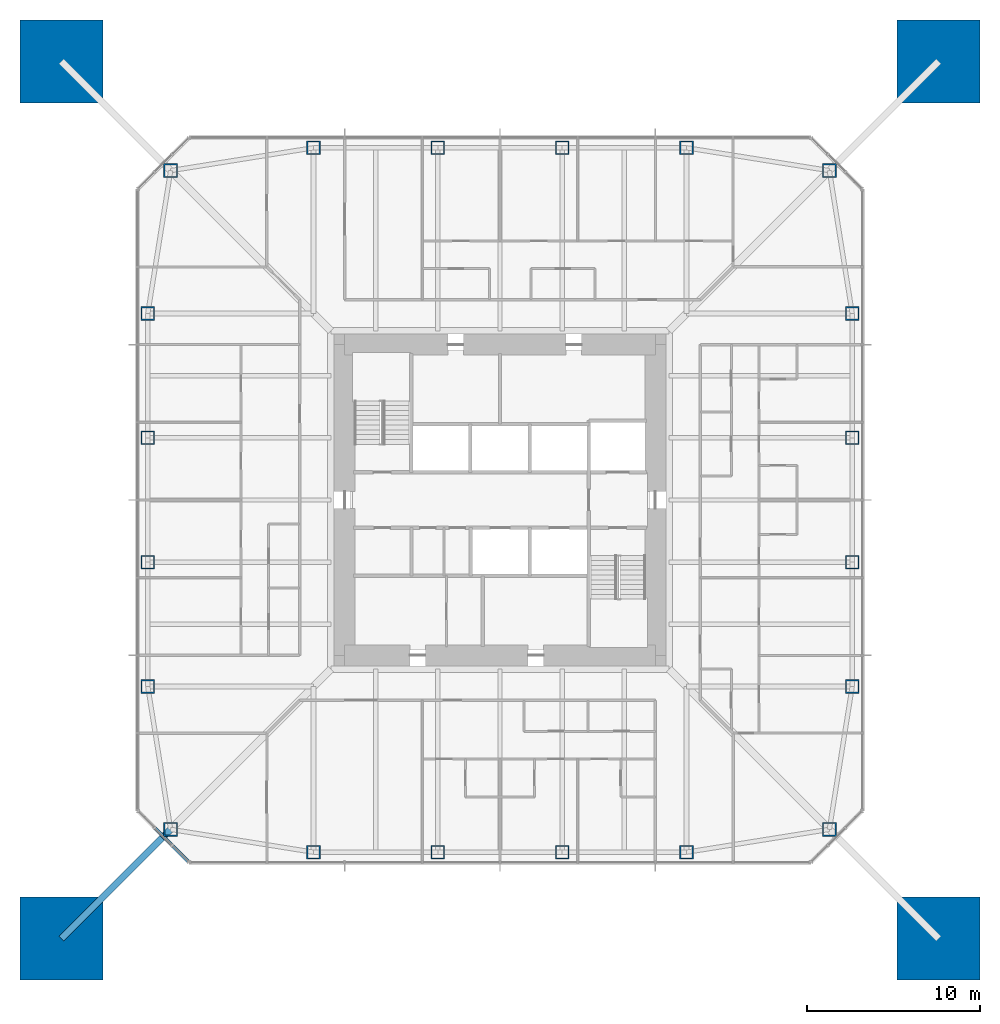
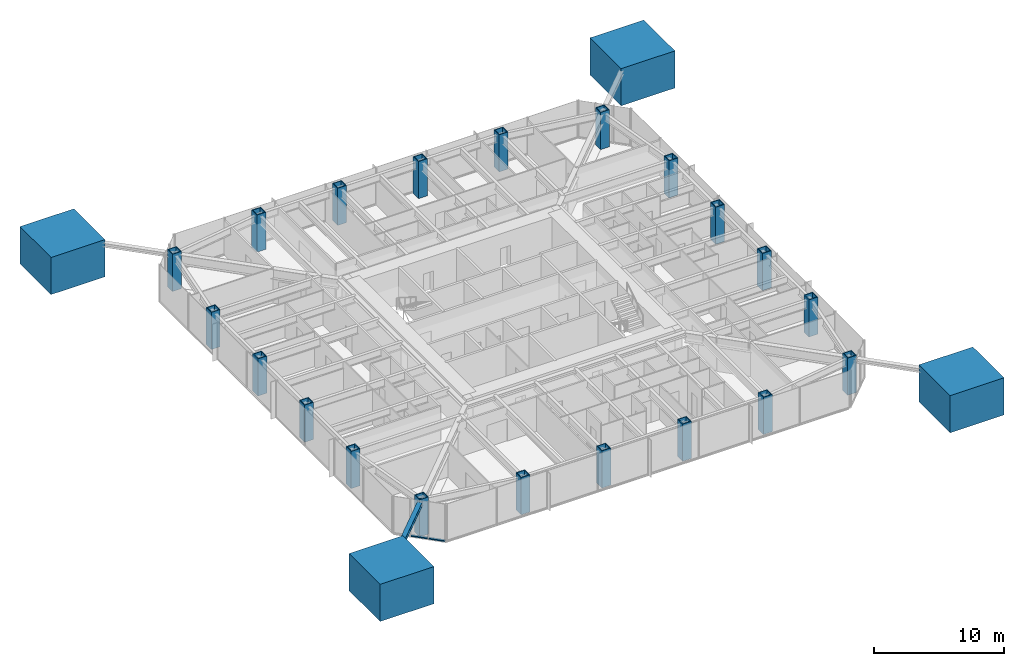
# One storey, part 1 of 14: 24 columns, 3 members, 1 element without a shape of its own.
"""IFC4 building model written with IfcOpenShell, lengths in metres."""

from ifc_helpers import new_model, si_unit, direction, frame, origin, origin_2d, place, context, subcontext, project, spatial, rectangle, hollow_rectangle, i_section, extrude, material, material_profile, profile_set, type_object, element, aggregate, save


model = new_model("IFC4")

# Units and contexts
model_context = context("Model", 3, precision=1e-05, world=origin(), true_north=direction((0.0, 1.0)))
body_context = subcontext(model_context, "Body", "Model", "MODEL_VIEW")
ifc_project = project(units=[si_unit("LENGTHUNIT", "METRE"), si_unit("AREAUNIT", "SQUARE_METRE"), si_unit("VOLUMEUNIT", "CUBIC_METRE"), si_unit("PLANEANGLEUNIT", "RADIAN"), si_unit("MASSUNIT", "GRAM", prefix="KILO")], contexts=[model_context])

# Site, building, storey
site_placement = place(None, origin())
site = spatial("IfcSite", under=ifc_project, at=site_placement, CompositionType="ELEMENT")
building_placement = place(site_placement, origin())
building = spatial("IfcBuilding", under=site, at=building_placement, Name="Iwan Alto Co-Living Towers", CompositionType="ELEMENT")
storey_placement = place(building_placement, frame((0.0, 0.0, 136.5)))
storey = spatial("IfcBuildingStorey", under=building, at=storey_placement, Name="L37", CompositionType="ELEMENT", Elevation=136.5)

# Columns
ifc_material_1 = material(Name="Concrete f'c 70 MPa", Category="concrete")
ifc_material_profile_1 = material_profile(ifc_material_1, rectangle(XDim=4.800048828125, YDim=4.800048828125, at=origin_2d()), Name="RC 4800X4800")
ifc_profile_set_1 = profile_set([ifc_material_profile_1], Name="Concrete f'c 70 MPa")
column_type_1 = type_object("IfcColumnType", Name="T1 MEGA COLUMN RC 4800X4800", PredefinedType="COLUMN", material=ifc_profile_set_1)
for number, where, z_axis, x_axis, name in (
    (1, (-25.39990234375, -25.39990234375, 0.0), (0.0, 0.0, 1.0), (1.0, 0.0, 0.0), "T1 mega column SW L37"),
    (2, (25.39990234375, -25.39990234375, 0.0), (0.0, 0.0, 1.0), (1.0, 0.0, 0.0), "T1 mega column SE L37"),
    (3, (25.39990234375, 25.39990234375, 0.0), (0.0, 0.0, 1.0), (1.0, 0.0, 0.0), "T1 mega column NE L37"),
    (4, (-25.39990234375, 25.39990234375, 0.0), (0.0, 0.0, 1.0), (1.0, 0.0, 0.0), "T1 mega column NW L37"),
):
    element("IfcColumn", number, at=place(storey_placement, frame(where, z_axis=z_axis, x_axis=x_axis)), inside=storey, type_object=column_type_1, Name=name, PredefinedType="COLUMN", context=body_context, shape_type="SweptSolid", body=[
        extrude(rectangle(XDim=4.800048828125, YDim=4.800048828125, at=origin_2d()), origin(), (0.0, 0.0, 1.0), 3.5),
        extrude(i_section(OverallWidth=0.4775390625, OverallDepth=0.599365234375, WebThickness=0.10009765625, FlangeThickness=0.139892578125, at=origin_2d()), origin(), (0.0, 0.0, 1.0), 3.5),
    ])
ifc_material_2 = material(Name="Steel ASTM A572 Gr 50", Category="steel")
ifc_material_profile_2 = material_profile(ifc_material_2, hollow_rectangle(XDim=0.800048828125, YDim=0.800048828125, WallThickness=0.070068359375, at=origin_2d()), Name="BOX 800X800X70")
ifc_profile_set_2 = profile_set([ifc_material_profile_2], Name="Steel ASTM A572 Gr 50")
column_type_2 = type_object("IfcColumnType", Name="T1 RING COLUMN BOX 800X800X70", PredefinedType="COLUMN", material=ifc_profile_set_2)
for number, where, z_axis, x_axis, name in (
    (5, (-19.07568359375, -19.07568359375, 0.0), (0.0, 0.0, 1.0), (1.0, 0.0, 0.0), "T1 ring column CSW L37"),
    (6, (-10.800048828125, -20.39990234375, 0.0), (0.0, 0.0, 1.0), (1.0, 0.0, 0.0), "T1 ring column S1 L37"),
    (7, (-3.60009765625, -20.39990234375, 0.0), (0.0, 0.0, 1.0), (1.0, 0.0, 0.0), "T1 ring column S2 L37"),
    (8, (3.60009765625, -20.39990234375, 0.0), (0.0, 0.0, 1.0), (1.0, 0.0, 0.0), "T1 ring column S3 L37"),
    (9, (10.800048828125, -20.39990234375, 0.0), (0.0, 0.0, 1.0), (1.0, 0.0, 0.0), "T1 ring column S4 L37"),
    (10, (19.07568359375, -19.07568359375, 0.0), (0.0, 0.0, 1.0), (1.0, 0.0, 0.0), "T1 ring column CSE L37"),
    (11, (20.39990234375, -10.800048828125, 0.0), (0.0, 0.0, 1.0), (1.0, 0.0, 0.0), "T1 ring column E1 L37"),
    (12, (20.39990234375, -3.60009765625, 0.0), (0.0, 0.0, 1.0), (1.0, 0.0, 0.0), "T1 ring column E2 L37"),
    (13, (20.39990234375, 3.60009765625, 0.0), (0.0, 0.0, 1.0), (1.0, 0.0, 0.0), "T1 ring column E3 L37"),
    (14, (20.39990234375, 10.800048828125, 0.0), (0.0, 0.0, 1.0), (1.0, 0.0, 0.0), "T1 ring column E4 L37"),
    (15, (19.07568359375, 19.07568359375, 0.0), (0.0, 0.0, 1.0), (1.0, 0.0, 0.0), "T1 ring column CNE L37"),
    (16, (10.800048828125, 20.39990234375, 0.0), (0.0, 0.0, 1.0), (1.0, 0.0, 0.0), "T1 ring column N1 L37"),
    (17, (3.60009765625, 20.39990234375, 0.0), (0.0, 0.0, 1.0), (1.0, 0.0, 0.0), "T1 ring column N2 L37"),
    (18, (-3.60009765625, 20.39990234375, 0.0), (0.0, 0.0, 1.0), (1.0, 0.0, 0.0), "T1 ring column N3 L37"),
    (19, (-10.800048828125, 20.39990234375, 0.0), (0.0, 0.0, 1.0), (1.0, 0.0, 0.0), "T1 ring column N4 L37"),
    (20, (-19.07568359375, 19.07568359375, 0.0), (0.0, 0.0, 1.0), (1.0, 0.0, 0.0), "T1 ring column CNW L37"),
    (21, (-20.39990234375, 10.800048828125, 0.0), (0.0, 0.0, 1.0), (1.0, 0.0, 0.0), "T1 ring column W1 L37"),
    (22, (-20.39990234375, 3.60009765625, 0.0), (0.0, 0.0, 1.0), (1.0, 0.0, 0.0), "T1 ring column W2 L37"),
    (23, (-20.39990234375, -3.60009765625, 0.0), (0.0, 0.0, 1.0), (1.0, 0.0, 0.0), "T1 ring column W3 L37"),
    (24, (-20.39990234375, -10.800048828125, 0.0), (0.0, 0.0, 1.0), (1.0, 0.0, 0.0), "T1 ring column W4 L37"),
):
    element("IfcColumn", number, at=place(storey_placement, frame(where, z_axis=z_axis, x_axis=x_axis)), inside=storey, type_object=column_type_2, Name=name, PredefinedType="COLUMN", context=body_context, shape_type="SweptSolid", body=[
        extrude(hollow_rectangle(XDim=0.800048828125, YDim=0.800048828125, WallThickness=0.070068359375, at=origin_2d()), origin(), (0.0, 0.0, 1.0), 3.5),
    ])

# Curtain wall, members
ifc_material_3 = material(Name="Bronze aluminium unitised frame", Category="aluminium")
curtain_wall_type = type_object("IfcCurtainWallType", Name="CURTAIN WALL CW-B", PredefinedType="NOTDEFINED", material=ifc_material_3)
curtain_wall_placement = place(storey_placement, origin())
curtain_wall = element("IfcCurtainWall", 25, at=curtain_wall_placement, inside=storey, type_object=curtain_wall_type, Name="T1 chamfer curtain wall SW L37", PredefinedType="NOTDEFINED")
ifc_material_4 = material(Name="Aluminium 6063-T6 bronze anodised", Category="aluminium")
ifc_material_profile_3 = material_profile(ifc_material_4, rectangle(XDim=0.199951171875, YDim=0.10009765625, at=origin_2d()), Name="AL 200X100")
ifc_profile_set_3 = profile_set([ifc_material_profile_3], Name="Aluminium 6063-T6 bronze anodised")
member_type_1 = type_object("IfcMemberType", Name="CW-B TRANSOM 200X100", PredefinedType="USERDEFINED", material=ifc_profile_set_3)
member_1_placement = place(storey_placement, frame((-19.9716796875, -19.0283203125, 0.050048828125), z_axis=(0.707106781187, -0.707106781187, 0.0), x_axis=(0.707106781187, 0.707106781187, 0.0)))
member_1 = element("IfcMember", 26, at=member_1_placement, type_object=member_type_1, Name="CW-B transom 2.1", ObjectType="TRANSOM", PredefinedType="USERDEFINED", context=body_context, shape_type="SweptSolid", body=[
    extrude(rectangle(XDim=0.199951171875, YDim=0.10009765625, at=origin_2d()), origin(), (0.0, 0.0, 1.0), 1.334228515625),
])
member_2_placement = place(storey_placement, frame((-18.9716796875, -20.0283203125, 0.050048828125), z_axis=(0.707106781187, -0.707106781187, 0.0), x_axis=(0.707106781187, 0.707106781187, 0.0)))
member_2 = element("IfcMember", 27, at=member_2_placement, type_object=member_type_1, Name="CW-B transom 3.1", ObjectType="TRANSOM", PredefinedType="USERDEFINED", context=body_context, shape_type="SweptSolid", body=[
    extrude(rectangle(XDim=0.199951171875, YDim=0.10009765625, at=origin_2d()), origin(), (0.0, 0.0, 1.0), 1.2939453125),
])
aggregate(curtain_wall, [member_1, member_2])

# Member
ifc_material_5 = material(Name="Steel ASTM A992 Gr 50", Category="steel")
ifc_material_profile_4 = material_profile(ifc_material_5, i_section(OverallWidth=0.393798828125, OverallDepth=0.3759765625, WebThickness=0.017333984375, FlangeThickness=0.027587890625, at=origin_2d()), Name="W14X145")
ifc_profile_set_4 = profile_set([ifc_material_profile_4], Name="Steel ASTM A992 Gr 50")
member_type_2 = type_object("IfcMemberType", Name="T1 MEGA COLUMN FLOOR TIE W14X145", PredefinedType="STRUT", material=ifc_profile_set_4)
member_3_placement = place(storey_placement, frame((-25.39990234375, -25.39990234375, 3.08203125), z_axis=(0.707106781187, 0.707106781187, 0.0), x_axis=(-0.707106781187, 0.707106781187, 0.0)))
element("IfcMember", 28, at=member_3_placement, inside=storey, type_object=member_type_2, Name="T1 mega column floor tie SW L38", PredefinedType="STRUT", context=body_context, shape_type="SweptSolid", body=[
    extrude(i_section(OverallWidth=0.393798828125, OverallDepth=0.3759765625, WebThickness=0.017333984375, FlangeThickness=0.027587890625, at=origin_2d()), origin(), (0.0, 0.0, 1.0), 8.94384765625),
])

save(model, "model.ifc")
